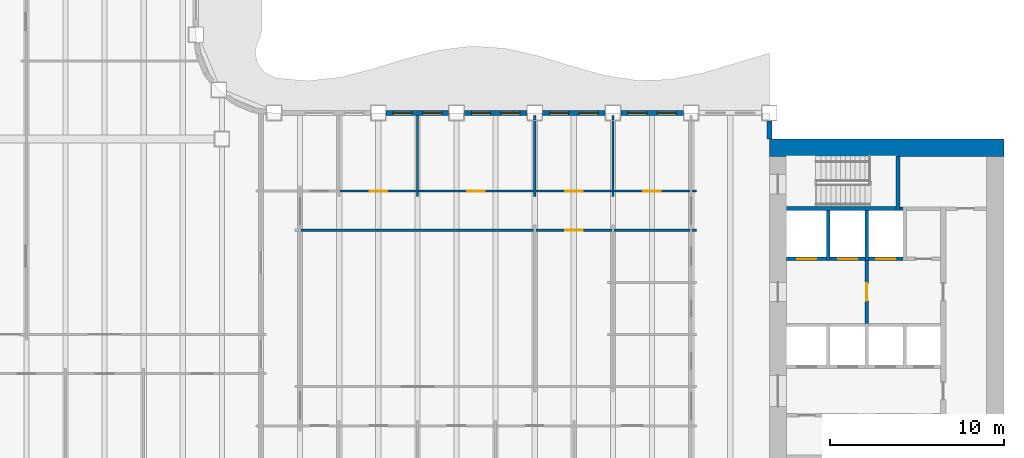
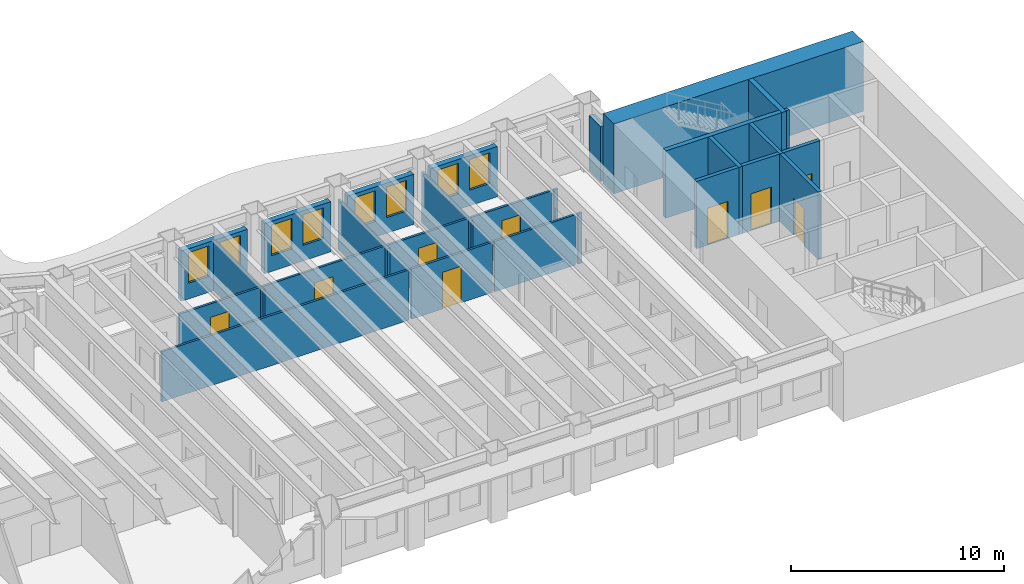
# One storey, part 7 of 16: 27 walls, 9 doors, 8 windows, 17 openings.
"""IFC4 building model written with IfcOpenShell, lengths in metres."""

from ifc_helpers import new_model, si_unit, direction, frame, frame_2d, origin, place, context, subcontext, project, spatial, rectangle, extrude, material, layer, layer_set, type_object, element, fill, save


model = new_model("IFC4")

# Units and contexts
model_context = context("Model", 3, precision=1e-05, world=origin(), true_north=direction((0.0, 1.0)))
body_context = subcontext(model_context, "Body", "Model", "MODEL_VIEW")
ifc_project = project(units=[si_unit("LENGTHUNIT", "METRE"), si_unit("AREAUNIT", "SQUARE_METRE"), si_unit("VOLUMEUNIT", "CUBIC_METRE"), si_unit("PLANEANGLEUNIT", "RADIAN"), si_unit("MASSUNIT", "GRAM", prefix="KILO")], contexts=[model_context])

# Site, building, storey
site_placement = place(None, origin())
site = spatial("IfcSite", under=ifc_project, at=site_placement, CompositionType="ELEMENT")
building_placement = place(site_placement, origin())
building = spatial("IfcBuilding", under=site, at=building_placement, Name="Sennacour Bend Tower", CompositionType="ELEMENT")
storey_placement = place(building_placement, frame((0.0, 0.0, 163.0)))
storey = spatial("IfcBuildingStorey", under=building, at=storey_placement, Name="L37", CompositionType="ELEMENT", Elevation=163.0)

# Walls
ifc_material_1 = material(Name="Concrete C60/75", Category="concrete")
ifc_layer_1 = layer(ifc_material_1, 1.0, Name="Concrete C60/75", Category="concrete")
ifc_layer_set_1 = layer_set([ifc_layer_1], Name="Concrete C60/75")
wall_type_1 = type_object("IfcWallType", Name="Core wall 1000 C60/75", PredefinedType="SHEAR", material=ifc_layer_set_1)
wall_1_placement = place(storey_placement, frame((54.0, 22.0, -0.14990234375), z_axis=(0.0, 0.0, 1.0), x_axis=(1.0, 0.0, 0.0)))
element("IfcWall", 1, at=wall_1_placement, inside=storey, type_object=wall_type_1, Name="Core A wall L37 N", PredefinedType="SHEAR", context=body_context, shape_type="SweptSolid", body=[
    extrude(rectangle(XDim=13.5, YDim=1.0, at=frame_2d((6.75, 0.0))), origin(), (0.0, 0.0, 1.0), 4.0),
])
ifc_material_2 = material(Name="Plasterboard partition on steel studs", Category="steel")
ifc_layer_2 = layer(ifc_material_2, 0.1201171875, Name="Plasterboard partition on steel studs", Category="steel")
ifc_layer_set_2 = layer_set([ifc_layer_2], Name="Plasterboard partition on steel studs")
wall_type_2 = type_object("IfcWallType", Name="Partition 120", PredefinedType="PARTITIONING", material=ifc_layer_set_2)
for number, where, z_axis, x_axis, name in (
    (2, (33.75, 19.199951171875, 0.0), (0.0, 0.0, 1.0), (0.0, 1.0, 0.0), "P-L37-W029a"),
    (3, (40.5, 19.199951171875, 0.0), (0.0, 0.0, 1.0), (0.0, 1.0, 0.0), "P-L37-W032a"),
    (4, (45.0, 19.199951171875, 0.0), (0.0, 0.0, 1.0), (0.0, 1.0, 0.0), "P-L37-W035a"),
):
    element("IfcWall", number, at=place(storey_placement, frame(where, z_axis=z_axis, x_axis=x_axis)), inside=storey, type_object=wall_type_2, Name=name, PredefinedType="PARTITIONING", context=body_context, shape_type="SweptSolid", body=[
        extrude(rectangle(XDim=4.650146484375, YDim=0.1201171875, at=frame_2d((2.3251953125, 0.0))), origin(), (0.0, 0.0, 1.0), 2.8701171875),
    ])
wall_2_placement = place(storey_placement, frame((27.06005859375, 17.25, 0.0), z_axis=(0.0, 0.0, 1.0), x_axis=(1.0, 0.0, 0.0)))
element("IfcWall", 5, at=wall_2_placement, inside=storey, type_object=wall_type_2, Name="P-L37-W070ab", PredefinedType="PARTITIONING", context=body_context, shape_type="SweptSolid", body=[
    extrude(rectangle(XDim=13.3798828125, YDim=0.1201171875, at=frame_2d((6.68994140625, 0.0))), origin(), (0.0, 0.0, 1.0), 2.8701171875),
])

# Wall, opening, door
wall_3_placement = place(storey_placement, frame((40.56005859375, 17.25, 0.0), z_axis=(0.0, 0.0, 1.0), x_axis=(1.0, 0.0, 0.0)))
wall_3 = element("IfcWall", 6, at=wall_3_placement, inside=storey, type_object=wall_type_2, Name="P-L37-W070ac", PredefinedType="PARTITIONING", context=body_context, shape_type="SweptSolid", body=[
    extrude(rectangle(XDim=4.3798828125, YDim=0.1201171875, at=frame_2d((2.18994140625, 0.0))), origin(), (0.0, 0.0, 1.0), 2.8701171875),
])
opening_1_placement = place(wall_3_placement, frame((1.68994140625, 0.0, 0.0)))
opening_1 = element("IfcOpeningElement", 7, at=opening_1_placement, cuts=wall_3, Name="Opening OD2", PredefinedType="OPENING", context=body_context, shape_type="SweptSolid", body=[
    extrude(rectangle(XDim=1.0, YDim=2.10009765625, at=frame_2d((0.5, 1.050048828125))), frame((0.0, 0.070068359375, 0.0), z_axis=(0.0, -1.0, 0.0), x_axis=(1.0, 0.0, 0.0)), (0.0, 0.0, 1.0), 0.14013671875),
])
ifc_material_3 = material(Name="Timber", Category="wood")
door_type_1 = type_object("IfcDoorType", Name="DR-OFFICE-1000", OperationType="NOTDEFINED", PredefinedType="DOOR", material=ifc_material_3)
door_1_placement = place(opening_1_placement, origin())
door_1 = element("IfcDoor", 8, at=door_1_placement, inside=storey, type_object=door_type_1, Name="Door", OperationType="SINGLE_SWING_LEFT", OverallHeight=2.10009765625, OverallWidth=1.0, PredefinedType="DOOR", context=body_context, shape_type="SweptSolid", body=[
    extrude(rectangle(XDim=1.0, YDim=2.10009765625, at=frame_2d((0.5, 1.050048828125))), frame((0.0, 0.02490234375, 0.0), z_axis=(0.0, -1.0, 0.0), x_axis=(1.0, 0.0, 0.0)), (0.0, 0.0, 1.0), 0.050048828125),
])
fill(opening_1, door_1)

# Walls
wall_4_placement = place(storey_placement, frame((45.06005859375, 17.25, 0.0), z_axis=(0.0, 0.0, 1.0), x_axis=(1.0, 0.0, 0.0)))
element("IfcWall", 9, at=wall_4_placement, inside=storey, type_object=wall_type_2, Name="P-L37-W070ad", PredefinedType="PARTITIONING", context=body_context, shape_type="SweptSolid", body=[
    extrude(rectangle(XDim=4.3798828125, YDim=0.1201171875, at=frame_2d((2.18994140625, 0.0))), origin(), (0.0, 0.0, 1.0), 2.8701171875),
])
wall_5_placement = place(storey_placement, frame((49.56005859375, 17.25, 0.0), z_axis=(0.0, 0.0, 1.0), x_axis=(1.0, 0.0, 0.0)))
element("IfcWall", 10, at=wall_5_placement, inside=storey, type_object=wall_type_2, Name="P-L37-W070ae", PredefinedType="PARTITIONING", context=body_context, shape_type="SweptSolid", body=[
    extrude(rectangle(XDim=0.239990234375, YDim=0.1201171875, at=frame_2d((0.1201171875, 0.0))), origin(), (0.0, 0.0, 1.0), 2.8701171875),
])

# Wall, opening, door
wall_6_placement = place(storey_placement, frame((29.31005859375, 19.5, 0.0), z_axis=(0.0, 0.0, 1.0), x_axis=(1.0, 0.0, 0.0)))
wall_6 = element("IfcWall", 11, at=wall_6_placement, inside=storey, type_object=wall_type_2, Name="P-L37-W074ad", PredefinedType="PARTITIONING", context=body_context, shape_type="SweptSolid", body=[
    extrude(rectangle(XDim=4.3798828125, YDim=0.1201171875, at=frame_2d((2.18994140625, 0.0))), origin(), (0.0, 0.0, 1.0), 2.8701171875),
])
opening_2_placement = place(wall_6_placement, frame((1.68994140625, 0.0, 0.0)))
opening_2 = element("IfcOpeningElement", 12, at=opening_2_placement, cuts=wall_6, Name="Opening OD2", PredefinedType="OPENING", context=body_context, shape_type="SweptSolid", body=[
    extrude(rectangle(XDim=1.0, YDim=2.10009765625, at=frame_2d((0.5, 1.050048828125))), frame((0.0, 0.070068359375, 0.0), z_axis=(0.0, -1.0, 0.0), x_axis=(1.0, 0.0, 0.0)), (0.0, 0.0, 1.0), 0.14013671875),
])
door_2_placement = place(opening_2_placement, origin())
door_2 = element("IfcDoor", 13, at=door_2_placement, inside=storey, type_object=door_type_1, Name="Door", OperationType="SINGLE_SWING_LEFT", OverallHeight=2.10009765625, OverallWidth=1.0, PredefinedType="DOOR", context=body_context, shape_type="SweptSolid", body=[
    extrude(rectangle(XDim=1.0, YDim=2.10009765625, at=frame_2d((0.5, 1.050048828125))), frame((0.0, 0.02490234375, 0.0), z_axis=(0.0, -1.0, 0.0), x_axis=(1.0, 0.0, 0.0)), (0.0, 0.0, 1.0), 0.050048828125),
])
fill(opening_2, door_2)

wall_7_placement = place(storey_placement, frame((33.81005859375, 19.5, 0.0), z_axis=(0.0, 0.0, 1.0), x_axis=(1.0, 0.0, 0.0)))
wall_7 = element("IfcWall", 14, at=wall_7_placement, inside=storey, type_object=wall_type_2, Name="P-L37-W074ae", PredefinedType="PARTITIONING", context=body_context, shape_type="SweptSolid", body=[
    extrude(rectangle(XDim=6.6298828125, YDim=0.1201171875, at=frame_2d((3.31494140625, 0.0))), origin(), (0.0, 0.0, 1.0), 2.8701171875),
])
opening_3_placement = place(wall_7_placement, frame((2.81494140625, 0.0, 0.0)))
opening_3 = element("IfcOpeningElement", 15, at=opening_3_placement, cuts=wall_7, Name="Opening OD2", PredefinedType="OPENING", context=body_context, shape_type="SweptSolid", body=[
    extrude(rectangle(XDim=1.0, YDim=2.10009765625, at=frame_2d((0.5, 1.050048828125))), frame((0.0, 0.070068359375, 0.0), z_axis=(0.0, -1.0, 0.0), x_axis=(1.0, 0.0, 0.0)), (0.0, 0.0, 1.0), 0.14013671875),
])
door_3_placement = place(opening_3_placement, origin())
door_3 = element("IfcDoor", 16, at=door_3_placement, inside=storey, type_object=door_type_1, Name="Door", OperationType="SINGLE_SWING_LEFT", OverallHeight=2.10009765625, OverallWidth=1.0, PredefinedType="DOOR", context=body_context, shape_type="SweptSolid", body=[
    extrude(rectangle(XDim=1.0, YDim=2.10009765625, at=frame_2d((0.5, 1.050048828125))), frame((0.0, 0.02490234375, 0.0), z_axis=(0.0, -1.0, 0.0), x_axis=(1.0, 0.0, 0.0)), (0.0, 0.0, 1.0), 0.050048828125),
])
fill(opening_3, door_3)

wall_8_placement = place(storey_placement, frame((40.56005859375, 19.5, 0.0), z_axis=(0.0, 0.0, 1.0), x_axis=(1.0, 0.0, 0.0)))
wall_8 = element("IfcWall", 17, at=wall_8_placement, inside=storey, type_object=wall_type_2, Name="P-L37-W074af", PredefinedType="PARTITIONING", context=body_context, shape_type="SweptSolid", body=[
    extrude(rectangle(XDim=4.3798828125, YDim=0.1201171875, at=frame_2d((2.18994140625, 0.0))), origin(), (0.0, 0.0, 1.0), 2.8701171875),
])
opening_4_placement = place(wall_8_placement, frame((1.68994140625, 0.0, 0.0)))
opening_4 = element("IfcOpeningElement", 18, at=opening_4_placement, cuts=wall_8, Name="Opening OD2", PredefinedType="OPENING", context=body_context, shape_type="SweptSolid", body=[
    extrude(rectangle(XDim=1.0, YDim=2.10009765625, at=frame_2d((0.5, 1.050048828125))), frame((0.0, 0.070068359375, 0.0), z_axis=(0.0, -1.0, 0.0), x_axis=(1.0, 0.0, 0.0)), (0.0, 0.0, 1.0), 0.14013671875),
])
door_4_placement = place(opening_4_placement, origin())
door_4 = element("IfcDoor", 19, at=door_4_placement, inside=storey, type_object=door_type_1, Name="Door", OperationType="SINGLE_SWING_LEFT", OverallHeight=2.10009765625, OverallWidth=1.0, PredefinedType="DOOR", context=body_context, shape_type="SweptSolid", body=[
    extrude(rectangle(XDim=1.0, YDim=2.10009765625, at=frame_2d((0.5, 1.050048828125))), frame((0.0, 0.02490234375, 0.0), z_axis=(0.0, -1.0, 0.0), x_axis=(1.0, 0.0, 0.0)), (0.0, 0.0, 1.0), 0.050048828125),
])
fill(opening_4, door_4)

wall_9_placement = place(storey_placement, frame((45.06005859375, 19.5, 0.0), z_axis=(0.0, 0.0, 1.0), x_axis=(1.0, 0.0, 0.0)))
wall_9 = element("IfcWall", 20, at=wall_9_placement, inside=storey, type_object=wall_type_2, Name="P-L37-W074ag", PredefinedType="PARTITIONING", context=body_context, shape_type="SweptSolid", body=[
    extrude(rectangle(XDim=4.3798828125, YDim=0.1201171875, at=frame_2d((2.18994140625, 0.0))), origin(), (0.0, 0.0, 1.0), 2.8701171875),
])
opening_5_placement = place(wall_9_placement, frame((1.68994140625, 0.0, 0.0)))
opening_5 = element("IfcOpeningElement", 21, at=opening_5_placement, cuts=wall_9, Name="Opening MD2", PredefinedType="OPENING", context=body_context, shape_type="SweptSolid", body=[
    extrude(rectangle(XDim=1.0, YDim=2.10009765625, at=frame_2d((0.5, 1.050048828125))), frame((0.0, 0.070068359375, 0.0), z_axis=(0.0, -1.0, 0.0), x_axis=(1.0, 0.0, 0.0)), (0.0, 0.0, 1.0), 0.14013671875),
])
door_type_2 = type_object("IfcDoorType", Name="DR-MEETING-1000", OperationType="NOTDEFINED", PredefinedType="DOOR", material=ifc_material_3)
door_5_placement = place(opening_5_placement, origin())
door_5 = element("IfcDoor", 22, at=door_5_placement, inside=storey, type_object=door_type_2, Name="Door", OperationType="SINGLE_SWING_LEFT", OverallHeight=2.10009765625, OverallWidth=1.0, PredefinedType="DOOR", context=body_context, shape_type="SweptSolid", body=[
    extrude(rectangle(XDim=1.0, YDim=2.10009765625, at=frame_2d((0.5, 1.050048828125))), frame((0.0, 0.02490234375, 0.0), z_axis=(0.0, -1.0, 0.0), x_axis=(1.0, 0.0, 0.0)), (0.0, 0.0, 1.0), 0.050048828125),
])
fill(opening_5, door_5)

# Wall
wall_10_placement = place(storey_placement, frame((49.56005859375, 19.5, 0.0), z_axis=(0.0, 0.0, 1.0), x_axis=(1.0, 0.0, 0.0)))
element("IfcWall", 23, at=wall_10_placement, inside=storey, type_object=wall_type_2, Name="P-L37-W074ah", PredefinedType="PARTITIONING", context=body_context, shape_type="SweptSolid", body=[
    extrude(rectangle(XDim=0.239990234375, YDim=0.1201171875, at=frame_2d((0.1201171875, 0.0))), origin(), (0.0, 0.0, 1.0), 2.8701171875),
])

# Wall, opening, door
ifc_material_4 = material(Name="Fire-rated plasterboard partition on steel studs", Category="steel")
ifc_layer_3 = layer(ifc_material_4, 0.199951171875, Name="Fire-rated plasterboard partition on steel studs", Category="steel")
ifc_layer_set_3 = layer_set([ifc_layer_3], Name="Fire-rated plasterboard partition on steel studs")
wall_type_3 = type_object("IfcWallType", Name="Rated partition 200 EI 90", PredefinedType="PARTITIONING", material=ifc_layer_set_3)
wall_11_placement = place(storey_placement, frame((59.60009765625, 11.89990234375, 0.0), z_axis=(0.0, 0.0, 1.0), x_axis=(0.0, 1.0, 0.0)))
wall_11 = element("IfcWall", 24, at=wall_11_placement, inside=storey, type_object=wall_type_3, Name="P-L37-W042", PredefinedType="PARTITIONING", context=body_context, shape_type="SweptSolid", body=[
    extrude(rectangle(XDim=3.60009765625, YDim=0.199951171875, at=frame_2d((1.800048828125, 0.0))), origin(), (0.0, 0.0, 1.0), 3.85009765625),
])
opening_6_placement = place(wall_11_placement, frame((1.300048828125, 0.0, 0.0)))
opening_6 = element("IfcOpeningElement", 25, at=opening_6_placement, cuts=wall_11, Name="Opening FD2", PredefinedType="OPENING", context=body_context, shape_type="SweptSolid", body=[
    extrude(rectangle(XDim=1.0, YDim=2.10009765625, at=frame_2d((0.5, 1.050048828125))), frame((0.0, 0.10986328125, 0.0), z_axis=(0.0, -1.0, 0.0), x_axis=(1.0, 0.0, 0.0)), (0.0, 0.0, 1.0), 0.219970703125),
])
ifc_material_5 = material(Name="Painted steel", Category="steel")
door_type_3 = type_object("IfcDoorType", Name="DR-FFL-1000", OperationType="NOTDEFINED", PredefinedType="DOOR", material=ifc_material_5)
door_6_placement = place(opening_6_placement, origin())
door_6 = element("IfcDoor", 26, at=door_6_placement, inside=storey, type_object=door_type_3, Name="Door", OperationType="SINGLE_SWING_LEFT", OverallHeight=2.10009765625, OverallWidth=1.0, PredefinedType="DOOR", context=body_context, shape_type="SweptSolid", body=[
    extrude(rectangle(XDim=1.0, YDim=2.10009765625, at=frame_2d((0.5, 1.050048828125))), frame((0.0, 0.02490234375, 0.0), z_axis=(0.0, -1.0, 0.0), x_axis=(1.0, 0.0, 0.0)), (0.0, 0.0, 1.0), 0.050048828125),
])
fill(opening_6, door_6)

# Wall
ifc_material_6 = material(Name="Warm limestone cladding", Category="masonry")
ifc_layer_4 = layer(ifc_material_6, 0.050048828125, Name="Warm limestone cladding", Category="masonry")
ifc_material_7 = material(Name="Precast concrete C40/50", Category="concrete")
ifc_layer_5 = layer(ifc_material_7, 0.25, Name="Precast concrete C40/50", Category="concrete")
ifc_layer_set_4 = layer_set([ifc_layer_4, ifc_layer_5], Name="Precast concrete C40/50 with limestone cladding")
wall_type_4 = type_object("IfcWallType", Name="STONE-CLAD PRECAST SPANDREL 300", PredefinedType="STANDARD", material=ifc_layer_set_4)
wall_12_placement = place(storey_placement, frame((54.0, 22.5, 0.0), z_axis=(0.0, 0.0, 1.0), x_axis=(0.0, 1.0, 0.0)))
element("IfcWall", 27, at=wall_12_placement, inside=storey, type_object=wall_type_4, Name="Stone spandrel and pier wall L37 07.00", PredefinedType="STANDARD", context=body_context, shape_type="SweptSolid", body=[
    extrude(rectangle(XDim=1.050048828125, YDim=0.300048828125, at=frame_2d((0.52490234375, 0.0))), origin(), (0.0, 0.0, 1.0), 3.14892578125),
])

# Wall, openings, windows
wall_13_placement = place(storey_placement, frame((49.050048828125, 24.0, 0.0), z_axis=(0.0, 0.0, 1.0), x_axis=(-1.0, 0.0, 0.0)))
wall_13 = element("IfcWall", 28, at=wall_13_placement, inside=storey, type_object=wall_type_4, Name="Stone spandrel and pier wall L37 08.01", PredefinedType="STANDARD", context=body_context, shape_type="SweptSolid", body=[
    extrude(rectangle(XDim=3.60009765625, YDim=0.300048828125, at=frame_2d((1.800048828125, 0.0))), origin(), (0.0, 0.0, 1.0), 2.8701171875),
])
opening_7_placement = place(wall_13_placement, frame((0.39990234375, 0.0, 0.89990234375)))
opening_7 = element("IfcOpeningElement", 29, at=opening_7_placement, cuts=wall_13, Name="Opening W17", PredefinedType="OPENING", context=body_context, shape_type="SweptSolid", body=[
    extrude(rectangle(XDim=1.10009765625, YDim=1.75, at=frame_2d((0.550048828125, 0.875))), frame((0.0, 0.16015625, 0.0), z_axis=(0.0, -1.0, 0.0), x_axis=(1.0, 0.0, 0.0)), (0.0, 0.0, 1.0), 0.320068359375),
])
opening_8_placement = place(wall_13_placement, frame((2.10009765625, 0.0, 0.89990234375)))
opening_8 = element("IfcOpeningElement", 30, at=opening_8_placement, cuts=wall_13, Name="Opening W17", PredefinedType="OPENING", context=body_context, shape_type="SweptSolid", body=[
    extrude(rectangle(XDim=1.10009765625, YDim=1.75, at=frame_2d((0.550048828125, 0.875))), frame((0.0, 0.16015625, 0.0), z_axis=(0.0, -1.0, 0.0), x_axis=(1.0, 0.0, 0.0)), (0.0, 0.0, 1.0), 0.320068359375),
])
ifc_material_8 = material(Name="Clear low-emissivity glass", Category="glass")
window_type = type_object("IfcWindowType", Name="WIN-RIBBON-1100x1750", PartitioningType="SINGLE_PANEL", PredefinedType="WINDOW", material=ifc_material_8)
window_1_placement = place(opening_7_placement, origin())
window_1 = element("IfcWindow", 31, at=window_1_placement, inside=storey, type_object=window_type, Name="Ribbon window L37 08.01.0", OverallHeight=1.75, OverallWidth=1.10009765625, PartitioningType="SINGLE_PANEL", PredefinedType="WINDOW", context=body_context, shape_type="SweptSolid", body=[
    extrude(rectangle(XDim=1.10009765625, YDim=1.75, at=frame_2d((0.550048828125, 0.875))), frame((0.0, 0.030029296875, 0.0), z_axis=(0.0, -1.0, 0.0), x_axis=(1.0, 0.0, 0.0)), (0.0, 0.0, 1.0), 0.06005859375),
])
fill(opening_7, window_1)
window_2_placement = place(opening_8_placement, origin())
window_2 = element("IfcWindow", 32, at=window_2_placement, inside=storey, type_object=window_type, Name="Ribbon window L37 08.01.1", OverallHeight=1.75, OverallWidth=1.10009765625, PartitioningType="SINGLE_PANEL", PredefinedType="WINDOW", context=body_context, shape_type="SweptSolid", body=[
    extrude(rectangle(XDim=1.10009765625, YDim=1.75, at=frame_2d((0.550048828125, 0.875))), frame((0.0, 0.030029296875, 0.0), z_axis=(0.0, -1.0, 0.0), x_axis=(1.0, 0.0, 0.0)), (0.0, 0.0, 1.0), 0.06005859375),
])
fill(opening_8, window_2)

wall_14_placement = place(storey_placement, frame((44.550048828125, 24.0, 0.0), z_axis=(0.0, 0.0, 1.0), x_axis=(-1.0, 0.0, 0.0)))
wall_14 = element("IfcWall", 33, at=wall_14_placement, inside=storey, type_object=wall_type_4, Name="Stone spandrel and pier wall L37 08.02", PredefinedType="STANDARD", context=body_context, shape_type="SweptSolid", body=[
    extrude(rectangle(XDim=3.60009765625, YDim=0.300048828125, at=frame_2d((1.800048828125, 0.0))), origin(), (0.0, 0.0, 1.0), 2.8701171875),
])
opening_9_placement = place(wall_14_placement, frame((0.39990234375, 0.0, 0.89990234375)))
opening_9 = element("IfcOpeningElement", 34, at=opening_9_placement, cuts=wall_14, Name="Opening W17", PredefinedType="OPENING", context=body_context, shape_type="SweptSolid", body=[
    extrude(rectangle(XDim=1.10009765625, YDim=1.75, at=frame_2d((0.550048828125, 0.875))), frame((0.0, 0.16015625, 0.0), z_axis=(0.0, -1.0, 0.0), x_axis=(1.0, 0.0, 0.0)), (0.0, 0.0, 1.0), 0.320068359375),
])
opening_10_placement = place(wall_14_placement, frame((2.10009765625, 0.0, 0.89990234375)))
opening_10 = element("IfcOpeningElement", 35, at=opening_10_placement, cuts=wall_14, Name="Opening W17", PredefinedType="OPENING", context=body_context, shape_type="SweptSolid", body=[
    extrude(rectangle(XDim=1.10009765625, YDim=1.75, at=frame_2d((0.550048828125, 0.875))), frame((0.0, 0.16015625, 0.0), z_axis=(0.0, -1.0, 0.0), x_axis=(1.0, 0.0, 0.0)), (0.0, 0.0, 1.0), 0.320068359375),
])
window_3_placement = place(opening_9_placement, origin())
window_3 = element("IfcWindow", 36, at=window_3_placement, inside=storey, type_object=window_type, Name="Ribbon window L37 08.02.0", OverallHeight=1.75, OverallWidth=1.10009765625, PartitioningType="SINGLE_PANEL", PredefinedType="WINDOW", context=body_context, shape_type="SweptSolid", body=[
    extrude(rectangle(XDim=1.10009765625, YDim=1.75, at=frame_2d((0.550048828125, 0.875))), frame((0.0, 0.030029296875, 0.0), z_axis=(0.0, -1.0, 0.0), x_axis=(1.0, 0.0, 0.0)), (0.0, 0.0, 1.0), 0.06005859375),
])
fill(opening_9, window_3)
window_4_placement = place(opening_10_placement, origin())
window_4 = element("IfcWindow", 37, at=window_4_placement, inside=storey, type_object=window_type, Name="Ribbon window L37 08.02.1", OverallHeight=1.75, OverallWidth=1.10009765625, PartitioningType="SINGLE_PANEL", PredefinedType="WINDOW", context=body_context, shape_type="SweptSolid", body=[
    extrude(rectangle(XDim=1.10009765625, YDim=1.75, at=frame_2d((0.550048828125, 0.875))), frame((0.0, 0.030029296875, 0.0), z_axis=(0.0, -1.0, 0.0), x_axis=(1.0, 0.0, 0.0)), (0.0, 0.0, 1.0), 0.06005859375),
])
fill(opening_10, window_4)

wall_15_placement = place(storey_placement, frame((40.050048828125, 24.0, 0.0), z_axis=(0.0, 0.0, 1.0), x_axis=(-1.0, 0.0, 0.0)))
wall_15 = element("IfcWall", 38, at=wall_15_placement, inside=storey, type_object=wall_type_4, Name="Stone spandrel and pier wall L37 08.03", PredefinedType="STANDARD", context=body_context, shape_type="SweptSolid", body=[
    extrude(rectangle(XDim=3.60009765625, YDim=0.300048828125, at=frame_2d((1.800048828125, 0.0))), origin(), (0.0, 0.0, 1.0), 2.8701171875),
])
opening_11_placement = place(wall_15_placement, frame((0.39990234375, 0.0, 0.89990234375)))
opening_11 = element("IfcOpeningElement", 39, at=opening_11_placement, cuts=wall_15, Name="Opening W17", PredefinedType="OPENING", context=body_context, shape_type="SweptSolid", body=[
    extrude(rectangle(XDim=1.10009765625, YDim=1.75, at=frame_2d((0.550048828125, 0.875))), frame((0.0, 0.16015625, 0.0), z_axis=(0.0, -1.0, 0.0), x_axis=(1.0, 0.0, 0.0)), (0.0, 0.0, 1.0), 0.320068359375),
])
opening_12_placement = place(wall_15_placement, frame((2.10009765625, 0.0, 0.89990234375)))
opening_12 = element("IfcOpeningElement", 40, at=opening_12_placement, cuts=wall_15, Name="Opening W17", PredefinedType="OPENING", context=body_context, shape_type="SweptSolid", body=[
    extrude(rectangle(XDim=1.10009765625, YDim=1.75, at=frame_2d((0.550048828125, 0.875))), frame((0.0, 0.16015625, 0.0), z_axis=(0.0, -1.0, 0.0), x_axis=(1.0, 0.0, 0.0)), (0.0, 0.0, 1.0), 0.320068359375),
])
window_5_placement = place(opening_11_placement, origin())
window_5 = element("IfcWindow", 41, at=window_5_placement, inside=storey, type_object=window_type, Name="Ribbon window L37 08.03.0", OverallHeight=1.75, OverallWidth=1.10009765625, PartitioningType="SINGLE_PANEL", PredefinedType="WINDOW", context=body_context, shape_type="SweptSolid", body=[
    extrude(rectangle(XDim=1.10009765625, YDim=1.75, at=frame_2d((0.550048828125, 0.875))), frame((0.0, 0.030029296875, 0.0), z_axis=(0.0, -1.0, 0.0), x_axis=(1.0, 0.0, 0.0)), (0.0, 0.0, 1.0), 0.06005859375),
])
fill(opening_11, window_5)
window_6_placement = place(opening_12_placement, origin())
window_6 = element("IfcWindow", 42, at=window_6_placement, inside=storey, type_object=window_type, Name="Ribbon window L37 08.03.1", OverallHeight=1.75, OverallWidth=1.10009765625, PartitioningType="SINGLE_PANEL", PredefinedType="WINDOW", context=body_context, shape_type="SweptSolid", body=[
    extrude(rectangle(XDim=1.10009765625, YDim=1.75, at=frame_2d((0.550048828125, 0.875))), frame((0.0, 0.030029296875, 0.0), z_axis=(0.0, -1.0, 0.0), x_axis=(1.0, 0.0, 0.0)), (0.0, 0.0, 1.0), 0.06005859375),
])
fill(opening_12, window_6)

wall_16_placement = place(storey_placement, frame((35.550048828125, 24.0, 0.0), z_axis=(0.0, 0.0, 1.0), x_axis=(-1.0, 0.0, 0.0)))
wall_16 = element("IfcWall", 43, at=wall_16_placement, inside=storey, type_object=wall_type_4, Name="Stone spandrel and pier wall L37 08.04", PredefinedType="STANDARD", context=body_context, shape_type="SweptSolid", body=[
    extrude(rectangle(XDim=3.60009765625, YDim=0.300048828125, at=frame_2d((1.800048828125, 0.0))), origin(), (0.0, 0.0, 1.0), 2.8701171875),
])
opening_13_placement = place(wall_16_placement, frame((0.39990234375, 0.0, 0.89990234375)))
opening_13 = element("IfcOpeningElement", 44, at=opening_13_placement, cuts=wall_16, Name="Opening W17", PredefinedType="OPENING", context=body_context, shape_type="SweptSolid", body=[
    extrude(rectangle(XDim=1.10009765625, YDim=1.75, at=frame_2d((0.550048828125, 0.875))), frame((0.0, 0.16015625, 0.0), z_axis=(0.0, -1.0, 0.0), x_axis=(1.0, 0.0, 0.0)), (0.0, 0.0, 1.0), 0.320068359375),
])
opening_14_placement = place(wall_16_placement, frame((2.10009765625, 0.0, 0.89990234375)))
opening_14 = element("IfcOpeningElement", 45, at=opening_14_placement, cuts=wall_16, Name="Opening W17", PredefinedType="OPENING", context=body_context, shape_type="SweptSolid", body=[
    extrude(rectangle(XDim=1.10009765625, YDim=1.75, at=frame_2d((0.550048828125, 0.875))), frame((0.0, 0.16015625, 0.0), z_axis=(0.0, -1.0, 0.0), x_axis=(1.0, 0.0, 0.0)), (0.0, 0.0, 1.0), 0.320068359375),
])
window_7_placement = place(opening_13_placement, origin())
window_7 = element("IfcWindow", 46, at=window_7_placement, inside=storey, type_object=window_type, Name="Ribbon window L37 08.04.0", OverallHeight=1.75, OverallWidth=1.10009765625, PartitioningType="SINGLE_PANEL", PredefinedType="WINDOW", context=body_context, shape_type="SweptSolid", body=[
    extrude(rectangle(XDim=1.10009765625, YDim=1.75, at=frame_2d((0.550048828125, 0.875))), frame((0.0, 0.030029296875, 0.0), z_axis=(0.0, -1.0, 0.0), x_axis=(1.0, 0.0, 0.0)), (0.0, 0.0, 1.0), 0.06005859375),
])
fill(opening_13, window_7)
window_8_placement = place(opening_14_placement, origin())
window_8 = element("IfcWindow", 47, at=window_8_placement, inside=storey, type_object=window_type, Name="Ribbon window L37 08.04.1", OverallHeight=1.75, OverallWidth=1.10009765625, PartitioningType="SINGLE_PANEL", PredefinedType="WINDOW", context=body_context, shape_type="SweptSolid", body=[
    extrude(rectangle(XDim=1.10009765625, YDim=1.75, at=frame_2d((0.550048828125, 0.875))), frame((0.0, 0.030029296875, 0.0), z_axis=(0.0, -1.0, 0.0), x_axis=(1.0, 0.0, 0.0)), (0.0, 0.0, 1.0), 0.06005859375),
])
fill(opening_14, window_8)

# Walls
ifc_material_9 = material(Name="Concrete C50/60", Category="concrete")
ifc_layer_6 = layer(ifc_material_9, 0.199951171875, Name="Concrete C50/60", Category="concrete")
ifc_layer_set_5 = layer_set([ifc_layer_6], Name="Concrete C50/60")
wall_type_5 = type_object("IfcWallType", Name="Shaft wall 200", PredefinedType="SOLIDWALL", material=ifc_layer_set_5)
for number, where, z_axis, x_axis, name in (
    (48, (57.39990234375, 15.5, 0.0), (0.0, 0.0, 1.0), (0.0, 1.0, 0.0), "P-L37-W040"),
    (49, (59.60009765625, 15.5, 0.0), (0.0, 0.0, 1.0), (0.0, 1.0, 0.0), "P-L37-W043"),
):
    element("IfcWall", number, at=place(storey_placement, frame(where, z_axis=z_axis, x_axis=x_axis)), inside=storey, type_object=wall_type_5, Name=name, PredefinedType="SOLIDWALL", context=body_context, shape_type="SweptSolid", body=[
        extrude(rectangle(XDim=2.875, YDim=0.199951171875, at=frame_2d((1.4375, 0.0))), origin(), (0.0, 0.0, 1.0), 3.85009765625),
    ])

# Wall, opening, door
wall_17_placement = place(storey_placement, frame((55.0, 15.60009765625, 0.0), z_axis=(0.0, 0.0, 1.0), x_axis=(1.0, 0.0, 0.0)))
wall_17 = element("IfcWall", 50, at=wall_17_placement, inside=storey, type_object=wall_type_5, Name="P-L37-W067a", PredefinedType="SOLIDWALL", context=body_context, shape_type="SweptSolid", body=[
    extrude(rectangle(XDim=2.300048828125, YDim=0.199951171875, at=frame_2d((1.14990234375, 0.0))), origin(), (0.0, 0.0, 1.0), 3.85009765625),
])
opening_15_placement = place(wall_17_placement, frame((0.60009765625, 0.0, 0.011962890625)))
opening_15 = element("IfcOpeningElement", 51, at=opening_15_placement, cuts=wall_17, Name="Opening FLD", PredefinedType="OPENING", context=body_context, shape_type="SweptSolid", body=[
    extrude(rectangle(XDim=1.10009765625, YDim=2.10009765625, at=frame_2d((0.550048828125, 1.050048828125))), frame((0.0, 0.10986328125, 0.0), z_axis=(0.0, -1.0, 0.0), x_axis=(1.0, 0.0, 0.0)), (0.0, 0.0, 1.0), 0.219970703125),
])
ifc_material_10 = material(Name="Stainless steel", Category="steel")
door_type_4 = type_object("IfcDoorType", Name="DR-FF-LANDING-1100", OperationType="NOTDEFINED", PredefinedType="DOOR", material=ifc_material_10)
door_7_placement = place(opening_15_placement, origin())
door_7 = element("IfcDoor", 52, at=door_7_placement, inside=storey, type_object=door_type_4, Name="Fire service lift landing door FA1", OperationType="SLIDING_TO_LEFT", OverallHeight=2.10009765625, OverallWidth=1.10009765625, PredefinedType="DOOR", context=body_context, shape_type="SweptSolid", body=[
    extrude(rectangle(XDim=1.10009765625, YDim=2.10009765625, at=frame_2d((0.550048828125, 1.050048828125))), frame((0.0, 0.02490234375, 0.0), z_axis=(0.0, -1.0, 0.0), x_axis=(1.0, 0.0, 0.0)), (0.0, 0.0, 1.0), 0.050048828125),
])
fill(opening_15, door_7)

wall_18_placement = place(storey_placement, frame((57.5, 15.60009765625, 0.0), z_axis=(0.0, 0.0, 1.0), x_axis=(1.0, 0.0, 0.0)))
wall_18 = element("IfcWall", 53, at=wall_18_placement, inside=storey, type_object=wall_type_5, Name="P-L37-W067b", PredefinedType="SOLIDWALL", context=body_context, shape_type="SweptSolid", body=[
    extrude(rectangle(XDim=2.0, YDim=0.199951171875, at=frame_2d((1.0, 0.0))), origin(), (0.0, 0.0, 1.0), 3.85009765625),
])
opening_16_placement = place(wall_18_placement, frame((0.449951171875, 0.0, 0.011962890625)))
opening_16 = element("IfcOpeningElement", 54, at=opening_16_placement, cuts=wall_18, Name="Opening FLD", PredefinedType="OPENING", context=body_context, shape_type="SweptSolid", body=[
    extrude(rectangle(XDim=1.10009765625, YDim=2.10009765625, at=frame_2d((0.550048828125, 1.050048828125))), frame((0.0, 0.10986328125, 0.0), z_axis=(0.0, -1.0, 0.0), x_axis=(1.0, 0.0, 0.0)), (0.0, 0.0, 1.0), 0.219970703125),
])
door_8_placement = place(opening_16_placement, origin())
door_8 = element("IfcDoor", 55, at=door_8_placement, inside=storey, type_object=door_type_4, Name="Fire service lift landing door FA2", OperationType="SLIDING_TO_RIGHT", OverallHeight=2.10009765625, OverallWidth=1.10009765625, PredefinedType="DOOR", context=body_context, shape_type="SweptSolid", body=[
    extrude(rectangle(XDim=1.10009765625, YDim=2.10009765625, at=frame_2d((0.550048828125, 1.050048828125))), frame((0.0, 0.02490234375, 0.0), z_axis=(0.0, -1.0, 0.0), x_axis=(1.0, 0.0, 0.0)), (0.0, 0.0, 1.0), 0.050048828125),
])
fill(opening_16, door_8)

wall_19_placement = place(storey_placement, frame((59.699951171875, 15.60009765625, 0.0), z_axis=(0.0, 0.0, 1.0), x_axis=(1.0, 0.0, 0.0)))
wall_19 = element("IfcWall", 56, at=wall_19_placement, inside=storey, type_object=wall_type_5, Name="P-L37-W067c", PredefinedType="SOLIDWALL", context=body_context, shape_type="SweptSolid", body=[
    extrude(rectangle(XDim=2.0, YDim=0.199951171875, at=frame_2d((1.0, 0.0))), origin(), (0.0, 0.0, 1.0), 3.85009765625),
])
opening_17_placement = place(wall_19_placement, frame((0.449951171875, 0.0, 0.011962890625)))
opening_17 = element("IfcOpeningElement", 57, at=opening_17_placement, cuts=wall_19, Name="Opening LD", PredefinedType="OPENING", context=body_context, shape_type="SweptSolid", body=[
    extrude(rectangle(XDim=1.10009765625, YDim=2.10009765625, at=frame_2d((0.550048828125, 1.050048828125))), frame((0.0, 0.10986328125, 0.0), z_axis=(0.0, -1.0, 0.0), x_axis=(1.0, 0.0, 0.0)), (0.0, 0.0, 1.0), 0.219970703125),
])
door_type_5 = type_object("IfcDoorType", Name="DR-LANDING-1100", OperationType="NOTDEFINED", PredefinedType="DOOR", material=ifc_material_10)
door_9_placement = place(opening_17_placement, origin())
door_9 = element("IfcDoor", 58, at=door_9_placement, inside=storey, type_object=door_type_5, Name="Lift landing door HA5", OperationType="SLIDING_TO_LEFT", OverallHeight=2.10009765625, OverallWidth=1.10009765625, PredefinedType="DOOR", context=body_context, shape_type="SweptSolid", body=[
    extrude(rectangle(XDim=1.10009765625, YDim=2.10009765625, at=frame_2d((0.550048828125, 1.050048828125))), frame((0.0, 0.02490234375, 0.0), z_axis=(0.0, -1.0, 0.0), x_axis=(1.0, 0.0, 0.0)), (0.0, 0.0, 1.0), 0.050048828125),
])
fill(opening_17, door_9)

# Walls
wall_20_placement = place(storey_placement, frame((61.52490234375, 18.5, 0.0), z_axis=(0.0, 0.0, 1.0), x_axis=(1.0, 0.0, 0.0)))
element("IfcWall", 59, at=wall_20_placement, inside=storey, type_object=wall_type_5, Name="P-L37-W072", PredefinedType="SOLIDWALL", context=body_context, shape_type="SweptSolid", body=[
    extrude(rectangle(XDim=0.175048828125, YDim=0.199951171875, at=frame_2d((0.08740234375, 0.0))), origin(), (0.0, 0.0, 1.0), 3.85009765625),
])
ifc_layer_7 = layer(ifc_material_1, 0.25, Name="Concrete C60/75", Category="concrete")
ifc_layer_set_6 = layer_set([ifc_layer_7], Name="Concrete C60/75")
wall_type_6 = type_object("IfcWallType", Name="Stair wall 250", PredefinedType="SHEAR", material=ifc_layer_set_6)
wall_21_placement = place(storey_placement, frame((61.39990234375, 18.375, 0.0), z_axis=(0.0, 0.0, 1.0), x_axis=(0.0, 1.0, 0.0)))
element("IfcWall", 60, at=wall_21_placement, inside=storey, type_object=wall_type_6, Name="P-L37-W045", PredefinedType="SHEAR", context=body_context, shape_type="SweptSolid", body=[
    extrude(rectangle(XDim=3.125, YDim=0.25, at=frame_2d((1.5625, 0.0))), origin(), (0.0, 0.0, 1.0), 3.85009765625),
])
wall_22_placement = place(storey_placement, frame((55.0, 18.5, 0.0), z_axis=(0.0, 0.0, 1.0), x_axis=(1.0, 0.0, 0.0)))
element("IfcWall", 61, at=wall_22_placement, inside=storey, type_object=wall_type_6, Name="P-L37-W071", PredefinedType="SHEAR", context=body_context, shape_type="SweptSolid", body=[
    extrude(rectangle(XDim=6.27490234375, YDim=0.25, at=frame_2d((3.137451171875, 0.0))), origin(), (0.0, 0.0, 1.0), 3.85009765625),
])

save(model, "model.ifc")
